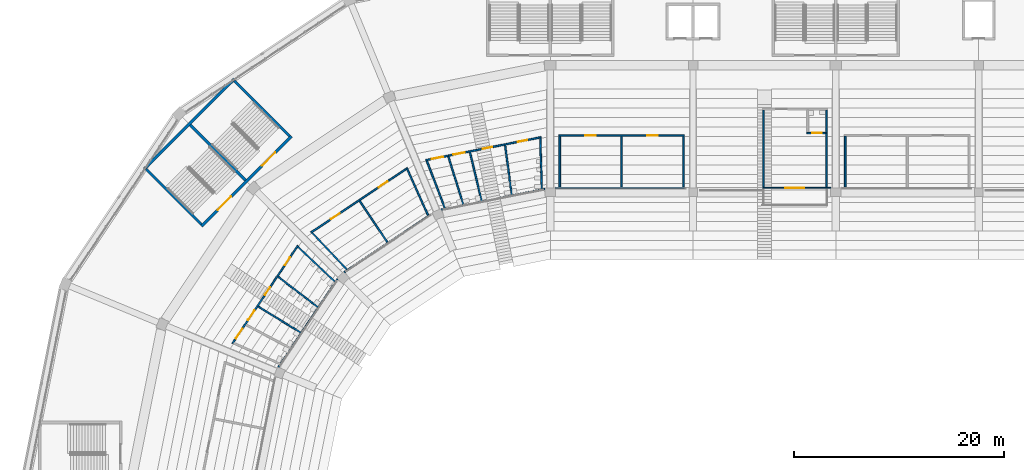
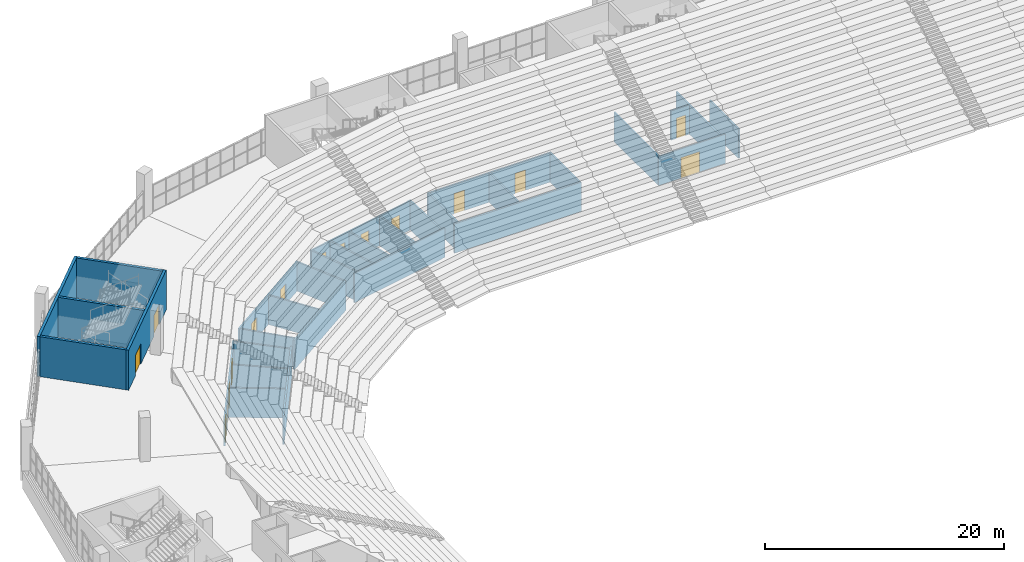
# One storey, part 95 of 249: 32 walls, 16 doors, 16 openings.
"""IFC4 building model written with IfcOpenShell, lengths in metres."""

import ifcopenshell
import ifcopenshell.guid

model = None  # the IFC model being written
_history = None  # IfcOwnerHistory: only IFC2X3 demands one
_inside = {}  # id of a spatial element -> (the spatial element, [elements in it])
_under = {}  # id of a project, library or spatial element -> (it, [spatial elements below it])
_declared = {}  # id of a project -> (the project, [libraries it declares])
_typed = {}  # id of a type object -> (the type object, [elements of that type])
_made_of = {}  # id of a material, layer set ... -> (it, [elements and type objects made of it])


def new_model(schema):
    """Start an empty IFC model of exactly this schema.

    Asked for "IFC4X3", IfcOpenShell would pick the latest addendum, in which some entities
    have other attributes; the version numbers below select the first issue.
    IFC2X3 requires an IfcOwnerHistory on every rooted entity: one is made here for all.
    """
    global model, _history
    if schema == "IFC4X3":
        model = ifcopenshell.file(schema_version=(4, 3, 0, 0))
    else:
        model = ifcopenshell.file(schema=schema)
    _inside.clear()
    _under.clear()
    _declared.clear()
    _typed.clear()
    _made_of.clear()
    _history = None
    if model.schema == "IFC2X3":
        org = make("IfcOrganization", Name="unknown")
        user = make(
            "IfcPersonAndOrganization",
            ThePerson=make("IfcPerson", FamilyName="unknown"),
            TheOrganization=org,
        )
        app = make(
            "IfcApplication",
            ApplicationDeveloper=org,
            Version="unknown",
            ApplicationFullName="unknown",
            ApplicationIdentifier="unknown",
        )
        _history = make(
            "IfcOwnerHistory",
            OwningUser=user,
            OwningApplication=app,
            ChangeAction="ADDED",
            CreationDate=0,
        )
    return model


def make(cls, **values):
    """One entity of the class cls with the attributes given. An attribute that is None is left unset."""
    return model.create_entity(
        cls, **{name: value for name, value in values.items() if value is not None}
    )


def rooted(cls, **values):
    """An entity with a GlobalId (a new one), such as an element, a storey or a relation."""
    return make(cls, GlobalId=ifcopenshell.guid.new(), OwnerHistory=_history, **values)


def si_unit(unit_type, name, prefix=None):
    """IfcSIUnit, for example si_unit("LENGTHUNIT", "METRE", prefix="MILLI")."""
    return make("IfcSIUnit", UnitType=unit_type, Prefix=prefix, Name=name)


def assignment(units):
    """IfcUnitAssignment: the units of a project."""
    return None if units is None else make("IfcUnitAssignment", Units=units)


def point(xyz):
    """IfcCartesianPoint."""
    return None if xyz is None else make("IfcCartesianPoint", Coordinates=xyz)


def direction(xyz):
    """IfcDirection."""
    return None if xyz is None else make("IfcDirection", DirectionRatios=xyz)


def frame(location, z_axis=None, x_axis=None):
    """IfcAxis2Placement3D, a coordinate frame: its origin and axes. An axis left out is left unset."""
    return make(
        "IfcAxis2Placement3D",
        Location=point(location),
        Axis=direction(z_axis),
        RefDirection=direction(x_axis),
    )


def frame_2d(location, x_axis=None):
    """IfcAxis2Placement2D, a coordinate frame in the plane: its origin and x axis."""
    return make(
        "IfcAxis2Placement2D", Location=point(location), RefDirection=direction(x_axis)
    )


def origin():
    """The frame at (0, 0, 0) with its axes left unset."""
    return frame((0.0, 0.0, 0.0))


def place(relative_to, where):
    """IfcLocalPlacement: puts the frame where relative to a parent placement (None: the world)."""
    return make(
        "IfcLocalPlacement", PlacementRelTo=relative_to, RelativePlacement=where
    )


def context(
    kind, dimensions, precision=None, world=None, true_north=None, identifier=None
):
    """IfcGeometricRepresentationContext, for example the 3D "Model" context."""
    return make(
        "IfcGeometricRepresentationContext",
        ContextIdentifier=identifier,
        ContextType=kind,
        CoordinateSpaceDimension=dimensions,
        Precision=precision,
        WorldCoordinateSystem=world,
        TrueNorth=true_north,
    )


def subcontext(parent, identifier, kind, view, scale=None):
    """IfcGeometricRepresentationSubContext, for example "Body" below "Model"."""
    return make(
        "IfcGeometricRepresentationSubContext",
        ContextIdentifier=identifier,
        ContextType=kind,
        ParentContext=parent,
        TargetScale=scale,
        TargetView=view,
    )


def project(units=None, contexts=None):
    """IfcProject with its units and contexts."""
    return rooted(
        "IfcProject",
        Name="project",
        RepresentationContexts=contexts,
        UnitsInContext=assignment(units),
    )


def spatial(cls, under=None, at=None, **own):
    """A site, building, storey or space (cls), placed at a placement, below another one or the project."""
    s = rooted(cls, ObjectPlacement=at, **own)
    if under is not None:
        _under.setdefault(under.id(), (under, []))[1].append(s)
    return s


def profile(cls, at=None, kind="AREA", **sizes):
    """A parametric profile (cls). Its sizes go by their IFC names, for example OverallWidth=200.0."""
    return make(cls, ProfileType=kind, Position=at, **sizes)


def rectangle(**sizes):
    """IfcRectangleProfileDef."""
    return profile("IfcRectangleProfileDef", **sizes)


def extrude(swept, where, along, depth):
    """IfcExtrudedAreaSolid: the profile swept, set in the frame where, extruded along a direction by depth."""
    return make(
        "IfcExtrudedAreaSolid",
        SweptArea=swept,
        Position=where,
        ExtrudedDirection=direction(along),
        Depth=depth,
    )


def shape(context_of_items, identifier, shape_type, items):
    """IfcShapeRepresentation: the items that make up one representation, for example the "Body"."""
    return make(
        "IfcShapeRepresentation",
        ContextOfItems=context_of_items,
        RepresentationIdentifier=identifier,
        RepresentationType=shape_type,
        Items=items,
    )


def material(Name=None, Category=None):
    """IfcMaterial."""
    return make("IfcMaterial", Name=Name, Category=Category)


def layer(
    of_material, thickness, ventilated=None, Name=None, Category=None, Priority=None
):
    """IfcMaterialLayer: one layer of a wall or slab, of a material (None: an air gap)."""
    return make(
        "IfcMaterialLayer",
        Material=of_material,
        LayerThickness=thickness,
        IsVentilated=ventilated,
        Name=Name,
        Category=Category,
        Priority=Priority,
    )


def layer_set(layers, Name=None):
    """IfcMaterialLayerSet."""
    return make("IfcMaterialLayerSet", MaterialLayers=layers, LayerSetName=Name)


def made_of(thing, what):
    """Note that an element or type object is made of a material, layer set ...; save() writes the relation."""
    if what is not None:
        _made_of.setdefault(what.id(), (what, []))[1].append(thing)
    return thing


def type_object(cls, material=None, **own):
    """A type object (cls), such as IfcWallType, which elements share."""
    return made_of(rooted(cls, **own), material)


def element(
    cls,
    number,
    at=None,
    inside=None,
    cuts=None,
    type_object=None,
    material=None,
    context=None,
    identifier="Body",
    shape_type=None,
    held_by="IfcProductDefinitionShape",
    body=None,
    shapes=None,
    **own,
):
    """One element of the class cls, such as IfcWall. Its Tag is "e" and its number.

    at: its placement. inside: the storey or other place that contains it. cuts: it is an
    opening in that element (IfcRelVoidsElement). A single representation is given by context,
    identifier, shape_type and body (its items); several are given by shapes. held_by: the class
    of the entity that holds the representations. save() writes the other relations.
    """
    e = rooted(cls, Tag="e%d" % number, ObjectPlacement=at, **own)
    if body is not None:
        shapes = [shape(context, identifier, shape_type, body)]
    if shapes is not None:
        e.Representation = make(held_by, Representations=shapes)
    if inside is not None:
        _inside.setdefault(inside.id(), (inside, []))[1].append(e)
    if cuts is not None:
        rooted(
            "IfcRelVoidsElement", RelatingBuildingElement=cuts, RelatedOpeningElement=e
        )
    if type_object is not None:
        _typed.setdefault(type_object.id(), (type_object, []))[1].append(e)
    return made_of(e, material)


def fill(opening, filler):
    """IfcRelFillsElement: the door or window that sits in an opening."""
    return rooted(
        "IfcRelFillsElement",
        RelatingOpeningElement=opening,
        RelatedBuildingElement=filler,
    )


def aggregate(whole, parts):
    """IfcRelAggregates: a whole, such as a stair, and the parts it consists of."""
    return rooted("IfcRelAggregates", RelatingObject=whole, RelatedObjects=parts)


def save(model, path):
    """Write the relations noted so far, then the file.

    IfcRelAggregates (storeys below a building ...), IfcRelContainedInSpatialStructure (elements
    in a storey), IfcRelDefinesByType, IfcRelAssociatesMaterial and IfcRelDeclares: one each for
    every whole, place, type object, material and project.
    """
    for whole, parts in _under.values():
        aggregate(whole, parts)
    for where, things in _inside.values():
        rooted(
            "IfcRelContainedInSpatialStructure",
            RelatedElements=things,
            RelatingStructure=where,
        )
    for kind, things in _typed.values():
        rooted("IfcRelDefinesByType", RelatedObjects=things, RelatingType=kind)
    for what, things in _made_of.values():
        rooted("IfcRelAssociatesMaterial", RelatedObjects=things, RelatingMaterial=what)
    for by, libraries in _declared.values():
        rooted("IfcRelDeclares", RelatingContext=by, RelatedDefinitions=libraries)
    model.write(path)


model = new_model("IFC4")

# Units and contexts
model_context = context("Model", 3, precision=1e-05, world=origin(), true_north=direction((0.0, 1.0)))
body_context = subcontext(model_context, "Body", "Model", "MODEL_VIEW")
ifc_project = project(units=[si_unit("LENGTHUNIT", "METRE"), si_unit("AREAUNIT", "SQUARE_METRE"), si_unit("VOLUMEUNIT", "CUBIC_METRE"), si_unit("PLANEANGLEUNIT", "RADIAN"), si_unit("MASSUNIT", "GRAM", prefix="KILO")], contexts=[model_context])

# Site, building, storey
site_placement = place(None, origin())
site = spatial("IfcSite", under=ifc_project, at=site_placement, CompositionType="ELEMENT")
building_placement = place(site_placement, origin())
building = spatial("IfcBuilding", under=site, at=building_placement, Name="Ogive Plaza Stadium", CompositionType="ELEMENT")
storey_placement = place(building_placement, frame((0.0, 0.0, 13.5)))
storey = spatial("IfcBuildingStorey", under=building, at=storey_placement, Name="L03", CompositionType="ELEMENT", Elevation=13.5)

# Wall
ifc_material_1 = material(Name="Masonry blockwork", Category="masonry")
ifc_layer_1 = layer(ifc_material_1, 0.14990234375)
ifc_layer_set_1 = layer_set([ifc_layer_1], Name="Blockwork wall 150")
wall_type_1 = type_object("IfcWallType", Name="Blockwork wall 150", PredefinedType="SOLIDWALL", material=ifc_layer_set_1)
wall_1_placement = place(storey_placement, frame((-53.629638671875, 72.76611328125, 0.0), z_axis=(0.0, 0.0, 1.0), x_axis=(0.831481684117, 0.555552165847, 0.0)))
element("IfcWall", 1, at=wall_1_placement, inside=storey, type_object=wall_type_1, Name="Wall L03 B30", PredefinedType="SOLIDWALL", context=body_context, shape_type="SweptSolid", body=[
    extrude(rectangle(XDim=9.7177734375, YDim=0.14990234375, at=frame_2d((4.85888671875, 0.0))), origin(), (0.0, 0.0, 1.0), 3.0),
])

# Wall, openings, doors
wall_2_placement = place(storey_placement, frame((-56.804931640625, 76.542236328125, 0.0), z_axis=(0.0, 0.0, 1.0), x_axis=(0.831470287315, 0.555569222791, 0.0)))
wall_2 = element("IfcWall", 2, at=wall_2_placement, inside=storey, type_object=wall_type_1, Name="Wall L03 B30", PredefinedType="SOLIDWALL", context=body_context, shape_type="SweptSolid", body=[
    extrude(rectangle(XDim=11.082275390625, YDim=0.14990234375, at=frame_2d((5.541015625, 0.0))), origin(), (0.0, 0.0, 1.0), 3.0),
])
opening_1_placement = place(wall_2_placement, frame((2.311279296875, 0.0, 0.0)))
opening_1 = element("IfcOpeningElement", 3, at=opening_1_placement, cuts=wall_2, Name="Opening D0871", PredefinedType="OPENING", context=body_context, shape_type="SweptSolid", body=[
    extrude(rectangle(XDim=1.0, YDim=2.10009765625, at=frame_2d((0.5, 1.050048828125))), frame((0.0, 0.074951171875, 0.0), z_axis=(0.0, -1.0, 0.0), x_axis=(1.0, 0.0, 0.0)), (0.0, 0.0, 1.0), 0.14990234375),
])
opening_2_placement = place(wall_2_placement, frame((7.771240234375, 0.0, 0.0)))
opening_2 = element("IfcOpeningElement", 4, at=opening_2_placement, cuts=wall_2, Name="Opening D0872", PredefinedType="OPENING", context=body_context, shape_type="SweptSolid", body=[
    extrude(rectangle(XDim=1.0, YDim=2.10009765625, at=frame_2d((0.5, 1.050048828125))), frame((0.0, 0.074951171875, 0.0), z_axis=(0.0, -1.0, 0.0), x_axis=(1.0, 0.0, 0.0)), (0.0, 0.0, 1.0), 0.14990234375),
])
ifc_material_2 = material(Name="Steel ASTM A572 Grade 50", Category="steel")
door_type_1 = type_object("IfcDoorType", Name="Fire door FD60 1000 x 2100", OperationType="SINGLE_SWING_LEFT", PredefinedType="DOOR", material=ifc_material_2)
door_1_placement = place(opening_1_placement, origin())
door_1 = element("IfcDoor", 5, at=door_1_placement, inside=storey, type_object=door_type_1, Name="Hospitality Pantry B30 door", OperationType="SINGLE_SWING_LEFT", OverallHeight=2.10009765625, OverallWidth=1.0, PredefinedType="DOOR", context=body_context, shape_type="SweptSolid", body=[
    extrude(rectangle(XDim=1.0, YDim=2.10009765625, at=frame_2d((0.5, 1.050048828125))), frame((0.0, 0.02490234375, 0.0), z_axis=(0.0, -1.0, 0.0), x_axis=(1.0, 0.0, 0.0)), (0.0, 0.0, 1.0), 0.050048828125),
])
fill(opening_1, door_1)
door_2_placement = place(opening_2_placement, origin())
door_2 = element("IfcDoor", 6, at=door_2_placement, inside=storey, type_object=door_type_1, Name="Hospitality Store B30 door", OperationType="SINGLE_SWING_RIGHT", OverallHeight=2.10009765625, OverallWidth=1.0, PredefinedType="DOOR", context=body_context, shape_type="SweptSolid", body=[
    extrude(rectangle(XDim=1.0, YDim=2.10009765625, at=frame_2d((0.5, 1.050048828125))), frame((0.0, 0.02490234375, 0.0), z_axis=(0.0, -1.0, 0.0), x_axis=(1.0, 0.0, 0.0)), (0.0, 0.0, 1.0), 0.050048828125),
])
fill(opening_2, door_2)

# Walls
wall_3_placement = place(storey_placement, frame((-53.374755859375, 73.02490234375, 0.0), z_axis=(0.0, 0.0, 1.0), x_axis=(-0.686443701672, 0.727182951144, 0.0)))
element("IfcWall", 7, at=wall_3_placement, inside=storey, type_object=wall_type_1, Name="Wall L03 B30", PredefinedType="SOLIDWALL", context=body_context, shape_type="SweptSolid", body=[
    extrude(rectangle(XDim=4.82421875, YDim=0.14990234375, at=frame_2d((2.412109375, 0.0))), origin(), (0.0, 0.0, 1.0), 3.0),
])
wall_4_placement = place(storey_placement, frame((-49.50634765625, 75.609619140625, 0.0), z_axis=(0.0, 0.0, 1.0), x_axis=(-0.557185009832, 0.830388381915, 0.0)))
element("IfcWall", 8, at=wall_4_placement, inside=storey, type_object=wall_type_1, Name="Wall L03 B30", PredefinedType="SOLIDWALL", context=body_context, shape_type="SweptSolid", body=[
    extrude(rectangle(XDim=4.7568359375, YDim=0.14990234375, at=frame_2d((2.37841796875, 0.0))), origin(), (0.0, 0.0, 1.0), 3.0),
])
wall_5_placement = place(storey_placement, frame((-45.6376953125, 78.194580078125, 0.0), z_axis=(0.0, 0.0, 1.0), x_axis=(-0.412593178732, 0.910915401596, 0.0)))
element("IfcWall", 9, at=wall_5_placement, inside=storey, type_object=wall_type_1, Name="Wall L03 B30", PredefinedType="SOLIDWALL", context=body_context, shape_type="SweptSolid", body=[
    extrude(rectangle(XDim=4.8212890625, YDim=0.14990234375, at=frame_2d((2.41064453125, 0.0))), origin(), (0.0, 0.0, 1.0), 3.0),
])
wall_6_placement = place(storey_placement, frame((-33.5, 80.800048828125, 0.0), z_axis=(0.0, 0.0, 1.0), x_axis=(1.0, 0.0, 0.0)))
element("IfcWall", 10, at=wall_6_placement, inside=storey, type_object=wall_type_1, Name="Wall L03 B32", PredefinedType="SOLIDWALL", context=body_context, shape_type="SweptSolid", body=[
    extrude(rectangle(XDim=12.27490234375, YDim=0.14990234375, at=frame_2d((6.137451171875, 0.0))), origin(), (0.0, 0.0, 1.0), 3.0),
])

# Wall, openings, doors
wall_7_placement = place(storey_placement, frame((-33.175048828125, 85.800048828125, 0.0), z_axis=(0.0, 0.0, 1.0), x_axis=(1.0, 0.0, 0.0)))
wall_7 = element("IfcWall", 11, at=wall_7_placement, inside=storey, type_object=wall_type_1, Name="Wall L03 B32", PredefinedType="SOLIDWALL", context=body_context, shape_type="SweptSolid", body=[
    extrude(rectangle(XDim=11.949951171875, YDim=0.14990234375, at=frame_2d((5.97509765625, 0.0))), origin(), (0.0, 0.0, 1.0), 3.0),
])
opening_3_placement = place(wall_7_placement, frame((2.52490234375, 0.0, 0.0)))
opening_3 = element("IfcOpeningElement", 12, at=opening_3_placement, cuts=wall_7, Name="Opening D0877", PredefinedType="OPENING", context=body_context, shape_type="SweptSolid", body=[
    extrude(rectangle(XDim=1.0, YDim=2.10009765625, at=frame_2d((0.5, 1.050048828125))), frame((0.0, 0.074951171875, 0.0), z_axis=(0.0, -1.0, 0.0), x_axis=(1.0, 0.0, 0.0)), (0.0, 0.0, 1.0), 0.14990234375),
])
opening_4_placement = place(wall_7_placement, frame((8.425048828125, 0.0, 0.0)))
opening_4 = element("IfcOpeningElement", 13, at=opening_4_placement, cuts=wall_7, Name="Opening D0878", PredefinedType="OPENING", context=body_context, shape_type="SweptSolid", body=[
    extrude(rectangle(XDim=1.0, YDim=2.10009765625, at=frame_2d((0.5, 1.050048828125))), frame((0.0, 0.074951171875, 0.0), z_axis=(0.0, -1.0, 0.0), x_axis=(1.0, 0.0, 0.0)), (0.0, 0.0, 1.0), 0.14990234375),
])
door_3_placement = place(opening_3_placement, origin())
door_3 = element("IfcDoor", 14, at=door_3_placement, inside=storey, type_object=door_type_1, Name="Hospitality Pantry B32 door", OperationType="SINGLE_SWING_RIGHT", OverallHeight=2.10009765625, OverallWidth=1.0, PredefinedType="DOOR", context=body_context, shape_type="SweptSolid", body=[
    extrude(rectangle(XDim=1.0, YDim=2.10009765625, at=frame_2d((0.5, 1.050048828125))), frame((0.0, 0.02490234375, 0.0), z_axis=(0.0, -1.0, 0.0), x_axis=(1.0, 0.0, 0.0)), (0.0, 0.0, 1.0), 0.050048828125),
])
fill(opening_3, door_3)
door_4_placement = place(opening_4_placement, origin())
door_4 = element("IfcDoor", 15, at=door_4_placement, inside=storey, type_object=door_type_1, Name="Hospitality Store B32 door", OperationType="SINGLE_SWING_LEFT", OverallHeight=2.10009765625, OverallWidth=1.0, PredefinedType="DOOR", context=body_context, shape_type="SweptSolid", body=[
    extrude(rectangle(XDim=1.0, YDim=2.10009765625, at=frame_2d((0.5, 1.050048828125))), frame((0.0, 0.02490234375, 0.0), z_axis=(0.0, -1.0, 0.0), x_axis=(1.0, 0.0, 0.0)), (0.0, 0.0, 1.0), 0.050048828125),
])
fill(opening_4, door_4)

# Walls
for number, where, z_axis, x_axis, name in (
    (16, (-33.10009765625, 80.875, 0.0), (0.0, 0.0, 1.0), (0.0, 1.0, 0.0), "Wall L03 B32"),
    (17, (-27.199951171875, 80.875, 0.0), (0.0, 0.0, 1.0), (0.0, 1.0, 0.0), "Wall L03 B32"),
    (18, (-21.300048828125, 80.875, 0.0), (0.0, 0.0, 1.0), (0.0, 1.0, 0.0), "Wall L03 B32"),
):
    element("IfcWall", number, at=place(storey_placement, frame(where, z_axis=z_axis, x_axis=x_axis)), inside=storey, type_object=wall_type_1, Name=name, PredefinedType="SOLIDWALL", context=body_context, shape_type="SweptSolid", body=[
        extrude(rectangle(XDim=4.85009765625, YDim=0.14990234375, at=frame_2d((2.425048828125, 0.0))), origin(), (0.0, 0.0, 1.0), 3.0),
    ])
for number, where, z_axis, x_axis, name in (
    (19, (-7.699951171875, 80.85009765625, 0.0), (0.0, 0.0, 1.0), (0.0, 1.0, 0.0), "Wall L03 B33"),
    (20, (-13.699951171875, 80.85009765625, 0.0), (0.0, 0.0, 1.0), (0.0, 1.0, 0.0), "Wall L03 B33"),
):
    element("IfcWall", number, at=place(storey_placement, frame(where, z_axis=z_axis, x_axis=x_axis)), inside=storey, type_object=wall_type_1, Name=name, PredefinedType="SOLIDWALL", context=body_context, shape_type="SweptSolid", body=[
        extrude(rectangle(XDim=7.375, YDim=0.14990234375, at=frame_2d((3.6875, 0.0))), origin(), (0.0, 0.0, 1.0), 3.0),
    ])
wall_8_placement = place(storey_placement, frame((-5.89990234375, 80.875, 0.0), z_axis=(0.0, 0.0, 1.0), x_axis=(0.0, 1.0, 0.0)))
element("IfcWall", 21, at=wall_8_placement, inside=storey, type_object=wall_type_1, Name="Wall L03 B34", PredefinedType="SOLIDWALL", context=body_context, shape_type="SweptSolid", body=[
    extrude(rectangle(XDim=4.85009765625, YDim=0.14990234375, at=frame_2d((2.425048828125, 0.0))), origin(), (0.0, 0.0, 1.0), 3.0),
])

# Wall, openings, doors
ifc_material_3 = material(Name="Concrete C40/50", Category="concrete")
ifc_layer_2 = layer(ifc_material_3, 0.25)
ifc_layer_set_2 = layer_set([ifc_layer_2], Name="Concrete C40/50")
wall_type_2 = type_object("IfcWallType", Name="Core wall 250", PredefinedType="SHEAR", material=ifc_layer_set_2)
wall_9_placement = place(storey_placement, frame((-58.642578125, 85.734130859375, 0.0), z_axis=(0.0, 0.0, 1.0), x_axis=(-0.707106781187, -0.707106781187, 0.0)))
wall_9 = element("IfcWall", 22, at=wall_9_placement, inside=storey, type_object=wall_type_2, Name="Stair core R30 inner wall", PredefinedType="SHEAR", context=body_context, shape_type="SweptSolid", body=[
    extrude(rectangle(XDim=12.150390625, YDim=0.25, at=frame_2d((6.0751953125, 0.0))), origin(), (0.0, 0.0, 1.0), 4.090087890625),
])
opening_5_placement = place(wall_9_placement, frame((2.199951171875, 0.0, 0.0)))
opening_5 = element("IfcOpeningElement", 23, at=opening_5_placement, cuts=wall_9, Name="Opening D0227", PredefinedType="OPENING", context=body_context, shape_type="SweptSolid", body=[
    extrude(rectangle(XDim=1.800048828125, YDim=2.10009765625, at=frame_2d((0.89990234375, 1.050048828125))), frame((0.0, 0.125, 0.0), z_axis=(0.0, -1.0, 0.0), x_axis=(1.0, 0.0, 0.0)), (0.0, 0.0, 1.0), 0.25),
])
opening_6_placement = place(wall_9_placement, frame((8.14990234375, 0.0, 0.0)))
opening_6 = element("IfcOpeningElement", 24, at=opening_6_placement, cuts=wall_9, Name="Opening D0228", PredefinedType="OPENING", context=body_context, shape_type="SweptSolid", body=[
    extrude(rectangle(XDim=1.800048828125, YDim=2.10009765625, at=frame_2d((0.89990234375, 1.050048828125))), frame((0.0, 0.125, 0.0), z_axis=(0.0, -1.0, 0.0), x_axis=(1.0, 0.0, 0.0)), (0.0, 0.0, 1.0), 0.25),
])
ifc_material_4 = material(Name="Steel ASTM A572 Grade 50", Category="steel")
door_type_2 = type_object("IfcDoorType", Name="Fire door FD90 pair 1800 x 2100", OperationType="DOUBLE_DOOR_SINGLE_SWING", PredefinedType="DOOR", material=ifc_material_4)
door_5_placement = place(opening_5_placement, origin())
door_5 = element("IfcDoor", 25, at=door_5_placement, inside=storey, type_object=door_type_2, Name="Exit stair R30A door L03", OperationType="DOUBLE_DOOR_SINGLE_SWING", OverallHeight=2.10009765625, OverallWidth=1.800048828125, PredefinedType="DOOR", context=body_context, shape_type="SweptSolid", body=[
    extrude(rectangle(XDim=1.800048828125, YDim=2.10009765625, at=frame_2d((0.89990234375, 1.050048828125))), frame((0.0, 0.02490234375, 0.0), z_axis=(0.0, -1.0, 0.0), x_axis=(1.0, 0.0, 0.0)), (0.0, 0.0, 1.0), 0.050048828125),
])
fill(opening_5, door_5)
door_6_placement = place(opening_6_placement, origin())
door_6 = element("IfcDoor", 26, at=door_6_placement, inside=storey, type_object=door_type_2, Name="Exit stair R30B door L03", OperationType="DOUBLE_DOOR_SINGLE_SWING", OverallHeight=2.10009765625, OverallWidth=1.800048828125, PredefinedType="DOOR", context=body_context, shape_type="SweptSolid", body=[
    extrude(rectangle(XDim=1.800048828125, YDim=2.10009765625, at=frame_2d((0.89990234375, 1.050048828125))), frame((0.0, 0.02490234375, 0.0), z_axis=(0.0, -1.0, 0.0), x_axis=(1.0, 0.0, 0.0)), (0.0, 0.0, 1.0), 0.050048828125),
])
fill(opening_6, door_6)

# Walls
wall_10_placement = place(storey_placement, frame((-64.094482421875, 91.185791015625, 0.0), z_axis=(0.0, 0.0, 1.0), x_axis=(-0.707106781187, -0.707106781187, 0.0)))
element("IfcWall", 27, at=wall_10_placement, inside=storey, type_object=wall_type_2, Name="Stair core R30 outer wall", PredefinedType="SHEAR", context=body_context, shape_type="SweptSolid", body=[
    extrude(rectangle(XDim=12.14990234375, YDim=0.25, at=frame_2d((6.074951171875, 0.0))), origin(), (0.0, 0.0, 1.0), 4.090087890625),
])
for number, where, z_axis, x_axis, name in (
    (28, (-58.8193359375, 85.734130859375, 0.0), (0.0, 0.0, 1.0), (-0.707123144286, 0.707090417709, 0.0), "Stair core R30 side wall"),
    (29, (-67.234130859375, 77.3193359375, 0.0), (0.0, 0.0, 1.0), (-0.707090417709, 0.707123144286, 0.0), "Stair core R30 side wall"),
):
    element("IfcWall", number, at=place(storey_placement, frame(where, z_axis=z_axis, x_axis=x_axis)), inside=storey, type_object=wall_type_2, Name=name, PredefinedType="SHEAR", context=body_context, shape_type="SweptSolid", body=[
        extrude(rectangle(XDim=7.4599609375, YDim=0.25, at=frame_2d((3.72998046875, 0.0))), origin(), (0.0, 0.0, 1.0), 4.090087890625),
    ])
wall_11_placement = place(storey_placement, frame((-63.026611328125, 81.526611328125, 0.0), z_axis=(0.0, 0.0, 1.0), x_axis=(-0.707106781187, 0.707106781187, 0.0)))
element("IfcWall", 30, at=wall_11_placement, inside=storey, type_object=wall_type_2, Name="Stair core R30 centre wall", PredefinedType="SHEAR", context=body_context, shape_type="SweptSolid", body=[
    extrude(rectangle(XDim=7.460205078125, YDim=0.25, at=frame_2d((3.72998046875, 0.0))), origin(), (0.0, 0.0, 1.0), 4.090087890625),
])

# Wall, opening, door
ifc_material_5 = material(Name="Laminated glass in aluminium frame", Category="aluminium")
ifc_layer_3 = layer(ifc_material_5, 0.10009765625)
ifc_layer_set_3 = layer_set([ifc_layer_3], Name="Glazed partition 100")
wall_type_3 = type_object("IfcWallType", Name="Glazed partition 100", PredefinedType="PARTITIONING", material=ifc_layer_set_3)
wall_12_placement = place(storey_placement, frame((-7.300048828125, 80.800048828125, 0.0), z_axis=(0.0, 0.0, 1.0), x_axis=(-1.0, 0.0, 0.0)))
wall_12 = element("IfcWall", 31, at=wall_12_placement, inside=storey, type_object=wall_type_3, Name="Wall L03 B33", PredefinedType="PARTITIONING", context=body_context, shape_type="SweptSolid", body=[
    extrude(rectangle(XDim=6.474853515625, YDim=0.10009765625, at=frame_2d((3.2373046875, 0.0))), origin(), (0.0, 0.0, 1.0), 3.0),
])
opening_7_placement = place(wall_12_placement, frame((2.5, 0.0, 0.0)))
opening_7 = element("IfcOpeningElement", 32, at=opening_7_placement, cuts=wall_12, Name="Opening D0880", PredefinedType="OPENING", context=body_context, shape_type="SweptSolid", body=[
    extrude(rectangle(XDim=1.800048828125, YDim=2.10009765625, at=frame_2d((0.89990234375, 1.050048828125))), frame((0.0, 0.050048828125, 0.0), z_axis=(0.0, -1.0, 0.0), x_axis=(1.0, 0.0, 0.0)), (0.0, 0.0, 1.0), 0.10009765625),
])
ifc_material_6 = material(Name="Steel ASTM A572 Grade 50", Category="steel")
door_type_3 = type_object("IfcDoorType", Name="Door pair 1800 x 2100", OperationType="DOUBLE_DOOR_SINGLE_SWING", PredefinedType="DOOR", material=ifc_material_6)
door_7_placement = place(opening_7_placement, origin())
door_7 = element("IfcDoor", 33, at=door_7_placement, inside=storey, type_object=door_type_3, Name="Suite terrace door B33", OperationType="DOUBLE_DOOR_SINGLE_SWING", OverallHeight=2.10009765625, OverallWidth=1.800048828125, PredefinedType="DOOR", context=body_context, shape_type="SweptSolid", body=[
    extrude(rectangle(XDim=1.800048828125, YDim=2.10009765625, at=frame_2d((0.89990234375, 1.050048828125))), frame((0.0, 0.02490234375, 0.0), z_axis=(0.0, -1.0, 0.0), x_axis=(1.0, 0.0, 0.0)), (0.0, 0.0, 1.0), 0.050048828125),
])
fill(opening_7, door_7)

# Wall
ifc_material_7 = material(Name="Gypsum board partition", Category="gypsum")
ifc_layer_4 = layer(ifc_material_7, 0.14990234375)
ifc_layer_set_4 = layer_set([ifc_layer_4], Name="Partition 150")
wall_type_4 = type_object("IfcWallType", Name="Partition 150", PredefinedType="PARTITIONING", material=ifc_layer_set_4)
wall_13_placement = place(storey_placement, frame((-54.26611328125, 72.129638671875, 0.0), z_axis=(0.0, 0.0, 1.0), x_axis=(-0.555562437394, -0.83147482112, 0.0)))
element("IfcWall", 34, at=wall_13_placement, inside=storey, type_object=wall_type_4, Name="Wall L03 B29", PredefinedType="PARTITIONING", context=body_context, shape_type="SweptSolid", body=[
    extrude(rectangle(XDim=10.12451171875, YDim=0.14990234375, at=frame_2d((5.062255859375, 0.0))), origin(), (0.0, 0.0, 1.0), 3.0),
])

# Wall, openings, doors
wall_14_placement = place(storey_placement, frame((-58.042236328125, 75.304931640625, 0.0), z_axis=(0.0, 0.0, 1.0), x_axis=(-0.555569460176, -0.8314701287, 0.0)))
wall_14 = element("IfcWall", 35, at=wall_14_placement, inside=storey, type_object=wall_type_4, Name="Wall L03 B29", PredefinedType="PARTITIONING", context=body_context, shape_type="SweptSolid", body=[
    extrude(rectangle(XDim=11.208740234375, YDim=0.14990234375, at=frame_2d((5.6044921875, 0.0))), origin(), (0.0, 0.0, 1.0), 3.0),
])
opening_8_placement = place(wall_14_placement, frame((1.34326171875, 0.0, 0.0)))
opening_8 = element("IfcOpeningElement", 36, at=opening_8_placement, cuts=wall_14, Name="Opening D0867", PredefinedType="OPENING", context=body_context, shape_type="SweptSolid", body=[
    extrude(rectangle(XDim=0.89990234375, YDim=2.10009765625, at=frame_2d((0.449951171875, 1.050048828125))), frame((0.0, 0.074951171875, 0.0), z_axis=(0.0, -1.0, 0.0), x_axis=(1.0, 0.0, 0.0)), (0.0, 0.0, 1.0), 0.14990234375),
])
opening_9_placement = place(wall_14_placement, frame((4.767822265625, 0.0, 0.0)))
opening_9 = element("IfcOpeningElement", 37, at=opening_9_placement, cuts=wall_14, Name="Opening D0868", PredefinedType="OPENING", context=body_context, shape_type="SweptSolid", body=[
    extrude(rectangle(XDim=0.89990234375, YDim=2.10009765625, at=frame_2d((0.449951171875, 1.050048828125))), frame((0.0, 0.074951171875, 0.0), z_axis=(0.0, -1.0, 0.0), x_axis=(1.0, 0.0, 0.0)), (0.0, 0.0, 1.0), 0.14990234375),
])
opening_10_placement = place(wall_14_placement, frame((7.4296875, 0.0, 0.0)))
opening_10 = element("IfcOpeningElement", 38, at=opening_10_placement, cuts=wall_14, Name="Opening D0869", PredefinedType="OPENING", context=body_context, shape_type="SweptSolid", body=[
    extrude(rectangle(XDim=1.10009765625, YDim=2.10009765625, at=frame_2d((0.550048828125, 1.050048828125))), frame((0.0, 0.074951171875, 0.0), z_axis=(0.0, -1.0, 0.0), x_axis=(1.0, 0.0, 0.0)), (0.0, 0.0, 1.0), 0.14990234375),
])
opening_11_placement = place(wall_14_placement, frame((9.528564453125, 0.0, 0.0)))
opening_11 = element("IfcOpeningElement", 39, at=opening_11_placement, cuts=wall_14, Name="Opening D0870", PredefinedType="OPENING", context=body_context, shape_type="SweptSolid", body=[
    extrude(rectangle(XDim=1.10009765625, YDim=2.10009765625, at=frame_2d((0.550048828125, 1.050048828125))), frame((0.0, 0.074951171875, 0.0), z_axis=(0.0, -1.0, 0.0), x_axis=(1.0, 0.0, 0.0)), (0.0, 0.0, 1.0), 0.14990234375),
])
ifc_material_8 = material(Name="Steel ASTM A572 Grade 50", Category="steel")
door_type_4 = type_object("IfcDoorType", Name="Accessible door 1100 x 2100", OperationType="SINGLE_SWING_LEFT", PredefinedType="DOOR", material=ifc_material_8)
door_8_placement = place(opening_10_placement, origin())
door_8 = element("IfcDoor", 40, at=door_8_placement, inside=storey, type_object=door_type_4, Name="Accessible WC B29 door", OperationType="SINGLE_SWING_LEFT", OverallHeight=2.10009765625, OverallWidth=1.10009765625, PredefinedType="DOOR", context=body_context, shape_type="SweptSolid", body=[
    extrude(rectangle(XDim=1.10009765625, YDim=2.10009765625, at=frame_2d((0.550048828125, 1.050048828125))), frame((0.0, 0.02490234375, 0.0), z_axis=(0.0, -1.0, 0.0), x_axis=(1.0, 0.0, 0.0)), (0.0, 0.0, 1.0), 0.050048828125),
])
fill(opening_10, door_8)
door_9_placement = place(opening_11_placement, origin())
door_9 = element("IfcDoor", 41, at=door_9_placement, inside=storey, type_object=door_type_4, Name="Family WC B29 door", OperationType="SINGLE_SWING_LEFT", OverallHeight=2.10009765625, OverallWidth=1.10009765625, PredefinedType="DOOR", context=body_context, shape_type="SweptSolid", body=[
    extrude(rectangle(XDim=1.10009765625, YDim=2.10009765625, at=frame_2d((0.550048828125, 1.050048828125))), frame((0.0, 0.02490234375, 0.0), z_axis=(0.0, -1.0, 0.0), x_axis=(1.0, 0.0, 0.0)), (0.0, 0.0, 1.0), 0.050048828125),
])
fill(opening_11, door_9)
ifc_material_9 = material(Name="Steel ASTM A572 Grade 50", Category="steel")
door_type_5 = type_object("IfcDoorType", Name="Door 900 x 2100", OperationType="SINGLE_SWING_LEFT", PredefinedType="DOOR", material=ifc_material_9)
door_10_placement = place(opening_8_placement, origin())
door_10 = element("IfcDoor", 42, at=door_10_placement, inside=storey, type_object=door_type_5, Name="Men's Toilet B29 door", OperationType="SINGLE_SWING_RIGHT", OverallHeight=2.10009765625, OverallWidth=0.89990234375, PredefinedType="DOOR", context=body_context, shape_type="SweptSolid", body=[
    extrude(rectangle(XDim=0.89990234375, YDim=2.10009765625, at=frame_2d((0.449951171875, 1.050048828125))), frame((0.0, 0.02490234375, 0.0), z_axis=(0.0, -1.0, 0.0), x_axis=(1.0, 0.0, 0.0)), (0.0, 0.0, 1.0), 0.050048828125),
])
fill(opening_8, door_10)
door_11_placement = place(opening_9_placement, origin())
door_11 = element("IfcDoor", 43, at=door_11_placement, inside=storey, type_object=door_type_5, Name="Women's Toilet B29 door", OperationType="SINGLE_SWING_RIGHT", OverallHeight=2.10009765625, OverallWidth=0.89990234375, PredefinedType="DOOR", context=body_context, shape_type="SweptSolid", body=[
    extrude(rectangle(XDim=0.89990234375, YDim=2.10009765625, at=frame_2d((0.449951171875, 1.050048828125))), frame((0.0, 0.02490234375, 0.0), z_axis=(0.0, -1.0, 0.0), x_axis=(1.0, 0.0, 0.0)), (0.0, 0.0, 1.0), 0.050048828125),
])
fill(opening_9, door_11)

# Walls
wall_15_placement = place(storey_placement, frame((-54.52490234375, 71.874755859375, 0.0), z_axis=(0.0, 0.0, 1.0), x_axis=(-0.727182951144, 0.686443701672, 0.0)))
element("IfcWall", 44, at=wall_15_placement, inside=storey, type_object=wall_type_4, Name="Wall L03 B29", PredefinedType="PARTITIONING", context=body_context, shape_type="SweptSolid", body=[
    extrude(rectangle(XDim=4.82421875, YDim=0.14990234375, at=frame_2d((2.412109375, 0.0))), origin(), (0.0, 0.0, 1.0), 3.0),
])
wall_16_placement = place(storey_placement, frame((-56.14599609375, 69.448486328125, 0.0), z_axis=(0.0, 0.0, 1.0), x_axis=(-0.794129534094, 0.607748536057, 0.0)))
element("IfcWall", 45, at=wall_16_placement, inside=storey, type_object=wall_type_4, Name="Wall L03 B29", PredefinedType="PARTITIONING", context=body_context, shape_type="SweptSolid", body=[
    extrude(rectangle(XDim=4.766845703125, YDim=0.14990234375, at=frame_2d((2.38330078125, 0.0))), origin(), (0.0, 0.0, 1.0), 3.0),
])
wall_17_placement = place(storey_placement, frame((-57.76708984375, 67.022216796875, 0.0), z_axis=(0.0, 0.0, 1.0), x_axis=(-0.853324930284, 0.521379481142, 0.0)))
element("IfcWall", 46, at=wall_17_placement, inside=storey, type_object=wall_type_4, Name="Wall L03 B29", PredefinedType="PARTITIONING", context=body_context, shape_type="SweptSolid", body=[
    extrude(rectangle(XDim=4.7607421875, YDim=0.14990234375, at=frame_2d((2.38037109375, 0.0))), origin(), (0.0, 0.0, 1.0), 3.0),
])
wall_18_placement = place(storey_placement, frame((-34.5, 80.700439453125, 0.0), z_axis=(0.0, 0.0, 1.0), x_axis=(-0.980787996346, -0.195076667554, 0.0)))
element("IfcWall", 47, at=wall_18_placement, inside=storey, type_object=wall_type_4, Name="Wall L03 B31", PredefinedType="PARTITIONING", context=body_context, shape_type="SweptSolid", body=[
    extrude(rectangle(XDim=10.073486328125, YDim=0.14990234375, at=frame_2d((5.03662109375, 0.0))), origin(), (0.0, 0.0, 1.0), 3.0),
])

# Wall, openings, doors
wall_19_placement = place(storey_placement, frame((-34.874755859375, 85.6259765625, 0.0), z_axis=(0.0, 0.0, 1.0), x_axis=(-0.980786208969, -0.195085653744, 0.0)))
wall_19 = element("IfcWall", 48, at=wall_19_placement, inside=storey, type_object=wall_type_4, Name="Wall L03 B31", PredefinedType="PARTITIONING", context=body_context, shape_type="SweptSolid", body=[
    extrude(rectangle(XDim=11.209228515625, YDim=0.14990234375, at=frame_2d((5.6044921875, 0.0))), origin(), (0.0, 0.0, 1.0), 3.0),
])
opening_12_placement = place(wall_19_placement, frame((1.34326171875, 0.0, 0.0)))
opening_12 = element("IfcOpeningElement", 49, at=opening_12_placement, cuts=wall_19, Name="Opening D0873", PredefinedType="OPENING", context=body_context, shape_type="SweptSolid", body=[
    extrude(rectangle(XDim=0.89990234375, YDim=2.10009765625, at=frame_2d((0.449951171875, 1.050048828125))), frame((0.0, 0.074951171875, 0.0), z_axis=(0.0, -1.0, 0.0), x_axis=(1.0, 0.0, 0.0)), (0.0, 0.0, 1.0), 0.14990234375),
])
opening_13_placement = place(wall_19_placement, frame((4.767822265625, 0.0, 0.0)))
opening_13 = element("IfcOpeningElement", 50, at=opening_13_placement, cuts=wall_19, Name="Opening D0874", PredefinedType="OPENING", context=body_context, shape_type="SweptSolid", body=[
    extrude(rectangle(XDim=0.89990234375, YDim=2.10009765625, at=frame_2d((0.449951171875, 1.050048828125))), frame((0.0, 0.074951171875, 0.0), z_axis=(0.0, -1.0, 0.0), x_axis=(1.0, 0.0, 0.0)), (0.0, 0.0, 1.0), 0.14990234375),
])
opening_14_placement = place(wall_19_placement, frame((7.4296875, 0.0, 0.0)))
opening_14 = element("IfcOpeningElement", 51, at=opening_14_placement, cuts=wall_19, Name="Opening D0875", PredefinedType="OPENING", context=body_context, shape_type="SweptSolid", body=[
    extrude(rectangle(XDim=1.10009765625, YDim=2.10009765625, at=frame_2d((0.550048828125, 1.050048828125))), frame((0.0, 0.074951171875, 0.0), z_axis=(0.0, -1.0, 0.0), x_axis=(1.0, 0.0, 0.0)), (0.0, 0.0, 1.0), 0.14990234375),
])
opening_15_placement = place(wall_19_placement, frame((9.528564453125, 0.0, 0.0)))
opening_15 = element("IfcOpeningElement", 52, at=opening_15_placement, cuts=wall_19, Name="Opening D0876", PredefinedType="OPENING", context=body_context, shape_type="SweptSolid", body=[
    extrude(rectangle(XDim=1.10009765625, YDim=2.10009765625, at=frame_2d((0.550048828125, 1.050048828125))), frame((0.0, 0.074951171875, 0.0), z_axis=(0.0, -1.0, 0.0), x_axis=(1.0, 0.0, 0.0)), (0.0, 0.0, 1.0), 0.14990234375),
])
door_12_placement = place(opening_14_placement, origin())
door_12 = element("IfcDoor", 53, at=door_12_placement, inside=storey, type_object=door_type_4, Name="Accessible WC B31 door", OperationType="SINGLE_SWING_LEFT", OverallHeight=2.10009765625, OverallWidth=1.10009765625, PredefinedType="DOOR", context=body_context, shape_type="SweptSolid", body=[
    extrude(rectangle(XDim=1.10009765625, YDim=2.10009765625, at=frame_2d((0.550048828125, 1.050048828125))), frame((0.0, 0.02490234375, 0.0), z_axis=(0.0, -1.0, 0.0), x_axis=(1.0, 0.0, 0.0)), (0.0, 0.0, 1.0), 0.050048828125),
])
fill(opening_14, door_12)
door_13_placement = place(opening_15_placement, origin())
door_13 = element("IfcDoor", 54, at=door_13_placement, inside=storey, type_object=door_type_4, Name="Family WC B31 door", OperationType="SINGLE_SWING_LEFT", OverallHeight=2.10009765625, OverallWidth=1.10009765625, PredefinedType="DOOR", context=body_context, shape_type="SweptSolid", body=[
    extrude(rectangle(XDim=1.10009765625, YDim=2.10009765625, at=frame_2d((0.550048828125, 1.050048828125))), frame((0.0, 0.02490234375, 0.0), z_axis=(0.0, -1.0, 0.0), x_axis=(1.0, 0.0, 0.0)), (0.0, 0.0, 1.0), 0.050048828125),
])
fill(opening_15, door_13)
door_14_placement = place(opening_12_placement, origin())
door_14 = element("IfcDoor", 55, at=door_14_placement, inside=storey, type_object=door_type_5, Name="Men's Toilet B31 door", OperationType="SINGLE_SWING_RIGHT", OverallHeight=2.10009765625, OverallWidth=0.89990234375, PredefinedType="DOOR", context=body_context, shape_type="SweptSolid", body=[
    extrude(rectangle(XDim=0.89990234375, YDim=2.10009765625, at=frame_2d((0.449951171875, 1.050048828125))), frame((0.0, 0.02490234375, 0.0), z_axis=(0.0, -1.0, 0.0), x_axis=(1.0, 0.0, 0.0)), (0.0, 0.0, 1.0), 0.050048828125),
])
fill(opening_12, door_14)
door_15_placement = place(opening_13_placement, origin())
door_15 = element("IfcDoor", 56, at=door_15_placement, inside=storey, type_object=door_type_5, Name="Women's Toilet B31 door", OperationType="SINGLE_SWING_RIGHT", OverallHeight=2.10009765625, OverallWidth=0.89990234375, PredefinedType="DOOR", context=body_context, shape_type="SweptSolid", body=[
    extrude(rectangle(XDim=0.89990234375, YDim=2.10009765625, at=frame_2d((0.449951171875, 1.050048828125))), frame((0.0, 0.02490234375, 0.0), z_axis=(0.0, -1.0, 0.0), x_axis=(1.0, 0.0, 0.0)), (0.0, 0.0, 1.0), 0.050048828125),
])
fill(opening_13, door_15)

# Walls
wall_20_placement = place(storey_placement, frame((-34.813232421875, 80.713134765625, 0.0), z_axis=(0.0, 0.0, 1.0), x_axis=(-0.028793807365, 0.999585372371, 0.0)))
element("IfcWall", 57, at=wall_20_placement, inside=storey, type_object=wall_type_4, Name="Wall L03 B31", PredefinedType="PARTITIONING", context=body_context, shape_type="SweptSolid", body=[
    extrude(rectangle(XDim=4.824462890625, YDim=0.14990234375, at=frame_2d((2.412109375, 0.0))), origin(), (0.0, 0.0, 1.0), 3.0),
])
wall_21_placement = place(storey_placement, frame((-37.67529296875, 80.14404296875, 0.0), z_axis=(0.0, 0.0, 1.0), x_axis=(-0.131791297018, 0.991277485889, 0.0)))
element("IfcWall", 58, at=wall_21_placement, inside=storey, type_object=wall_type_4, Name="Wall L03 B31", PredefinedType="PARTITIONING", context=body_context, shape_type="SweptSolid", body=[
    extrude(rectangle(XDim=4.766357421875, YDim=0.14990234375, at=frame_2d((2.38330078125, 0.0))), origin(), (0.0, 0.0, 1.0), 3.0),
])
wall_22_placement = place(storey_placement, frame((-40.537109375, 79.57470703125, 0.0), z_axis=(0.0, 0.0, 1.0), x_axis=(-0.234720740692, 0.972062844619, 0.0)))
element("IfcWall", 59, at=wall_22_placement, inside=storey, type_object=wall_type_4, Name="Wall L03 B31", PredefinedType="PARTITIONING", context=body_context, shape_type="SweptSolid", body=[
    extrude(rectangle(XDim=4.7607421875, YDim=0.14990234375, at=frame_2d((2.38037109375, 0.0))), origin(), (0.0, 0.0, 1.0), 3.0),
])
wall_23_placement = place(storey_placement, frame((-42.291259765625, 79.225830078125, 0.0), z_axis=(0.0, 0.0, 1.0), x_axis=(-0.296312515745, 0.955091039123, 0.0)))
element("IfcWall", 60, at=wall_23_placement, inside=storey, type_object=wall_type_4, Name="Wall L03 B31", PredefinedType="PARTITIONING", context=body_context, shape_type="SweptSolid", body=[
    extrude(rectangle(XDim=4.782958984375, YDim=0.14990234375, at=frame_2d((2.3916015625, 0.0))), origin(), (0.0, 0.0, 1.0), 3.0),
])
wall_24_placement = place(storey_placement, frame((-44.04541015625, 78.876953125, 0.0), z_axis=(0.0, 0.0, 1.0), x_axis=(-0.355921670207, 0.934515791561, 0.0)))
element("IfcWall", 61, at=wall_24_placement, inside=storey, type_object=wall_type_4, Name="Wall L03 B31", PredefinedType="PARTITIONING", context=body_context, shape_type="SweptSolid", body=[
    extrude(rectangle(XDim=4.82421875, YDim=0.14990234375, at=frame_2d((2.412109375, 0.0))), origin(), (0.0, 0.0, 1.0), 3.0),
])

# Wall, opening, door
wall_25_placement = place(storey_placement, frame((-7.77490234375, 86.02490234375, 0.0), z_axis=(0.0, 0.0, 1.0), x_axis=(-1.0, 0.0, 0.0)))
wall_25 = element("IfcWall", 62, at=wall_25_placement, inside=storey, type_object=wall_type_4, Name="Wall L03 B33", PredefinedType="PARTITIONING", context=body_context, shape_type="SweptSolid", body=[
    extrude(rectangle(XDim=1.775146484375, YDim=0.14990234375, at=frame_2d((0.8876953125, 0.0))), origin(), (0.0, 0.0, 1.0), 3.0),
])
opening_16_placement = place(wall_25_placement, frame((0.362548828125, 0.0, 0.0)))
opening_16 = element("IfcOpeningElement", 63, at=opening_16_placement, cuts=wall_25, Name="Opening D0881", PredefinedType="OPENING", context=body_context, shape_type="SweptSolid", body=[
    extrude(rectangle(XDim=0.89990234375, YDim=2.10009765625, at=frame_2d((0.449951171875, 1.050048828125))), frame((0.0, 0.074951171875, 0.0), z_axis=(0.0, -1.0, 0.0), x_axis=(1.0, 0.0, 0.0)), (0.0, 0.0, 1.0), 0.14990234375),
])
door_16_placement = place(opening_16_placement, origin())
door_16 = element("IfcDoor", 64, at=door_16_placement, inside=storey, type_object=door_type_5, Name="Suite WC B33 door", OperationType="SINGLE_SWING_RIGHT", OverallHeight=2.10009765625, OverallWidth=0.89990234375, PredefinedType="DOOR", context=body_context, shape_type="SweptSolid", body=[
    extrude(rectangle(XDim=0.89990234375, YDim=2.10009765625, at=frame_2d((0.449951171875, 1.050048828125))), frame((0.0, 0.02490234375, 0.0), z_axis=(0.0, -1.0, 0.0), x_axis=(1.0, 0.0, 0.0)), (0.0, 0.0, 1.0), 0.050048828125),
])
fill(opening_16, door_16)

save(model, "model.ifc")
